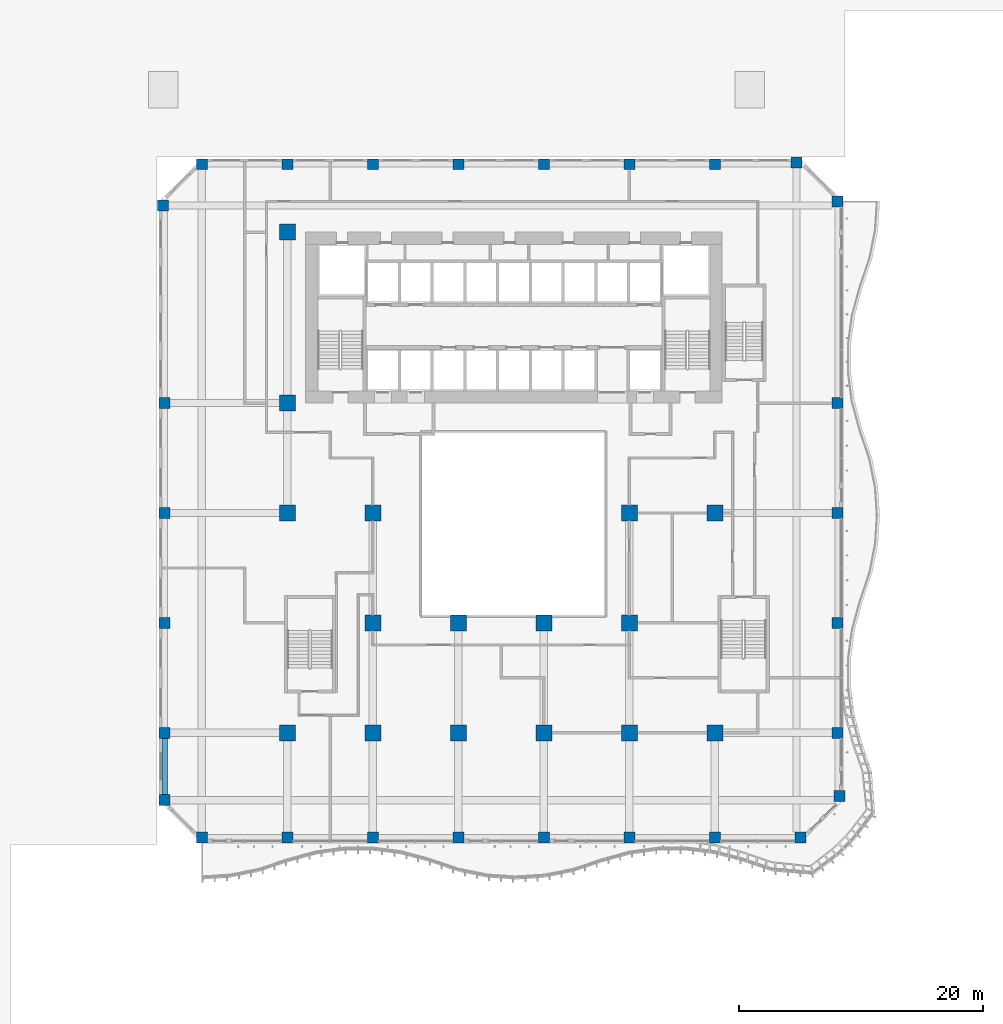
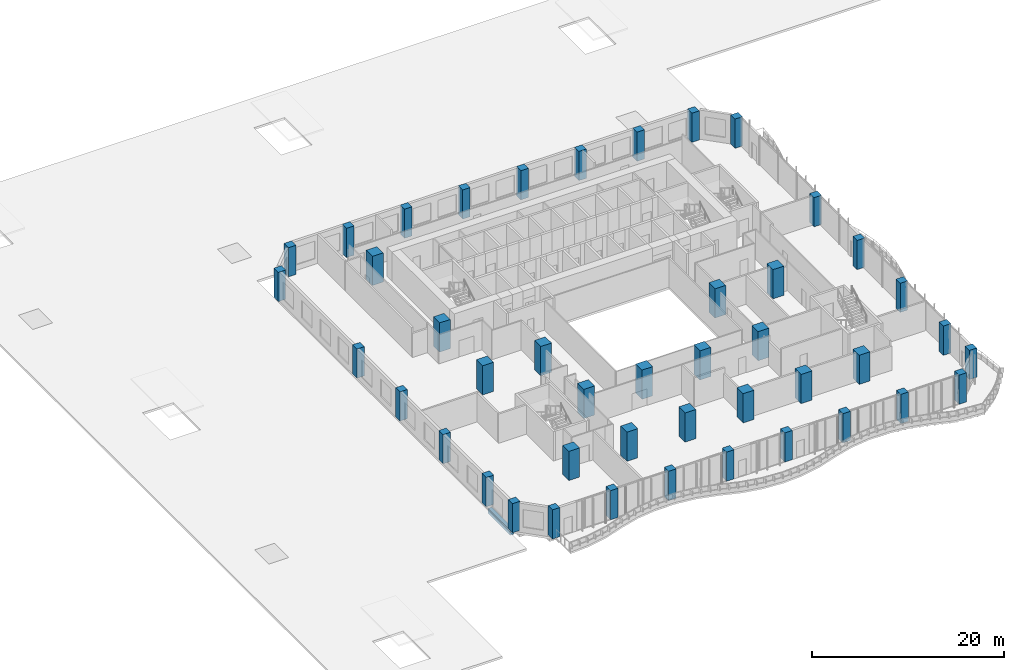
# One storey, part 1 of 29: 44 columns, 1 beam.
"""IFC4 building model written with IfcOpenShell, lengths in metres."""

from ifc_helpers import new_model, si_unit, direction, frame, origin, origin_2d, place, context, subcontext, project, spatial, rectangle, extrude, source, transform, mapped, material, material_profile, profile_set, type_object, element, save


model = new_model("IFC4")

# Units and contexts
model_context = context("Model", 3, precision=1e-05, world=origin(), true_north=direction((0.0, 1.0)))
body_context = subcontext(model_context, "Body", "Model", "MODEL_VIEW")
ifc_project = project(units=[si_unit("LENGTHUNIT", "METRE"), si_unit("AREAUNIT", "SQUARE_METRE"), si_unit("VOLUMEUNIT", "CUBIC_METRE"), si_unit("PLANEANGLEUNIT", "RADIAN"), si_unit("MASSUNIT", "GRAM", prefix="KILO")], contexts=[model_context])

# Site, building, storey
site_placement = place(None, origin())
site = spatial("IfcSite", under=ifc_project, at=site_placement, CompositionType="ELEMENT")
building_placement = place(site_placement, origin())
building = spatial("IfcBuilding", under=site, at=building_placement, Name="Kilnfold Tower and Market Hall", CompositionType="ELEMENT")
storey_placement = place(building_placement, frame((0.0, 0.0, 27.0)))
storey = spatial("IfcBuildingStorey", under=building, at=storey_placement, Name="L05", CompositionType="ELEMENT", Elevation=27.0)

# Columns
ifc_material_1 = material(Name="Concrete C80", Category="concrete")
ifc_material_profile_1 = material_profile(ifc_material_1, rectangle(XDim=0.89990234375, YDim=0.89990234375, at=origin_2d()), Name="RC 900x900")
ifc_profile_set_1 = profile_set([ifc_material_profile_1], Name="Concrete C80")
column_type_1 = type_object("IfcColumnType", Name="COLUMN 900X900 C80", PredefinedType="COLUMN", material=ifc_profile_set_1)
shared_shape_1 = source(origin(), body_context, "Body", "SweptSolid", [
    extrude(rectangle(XDim=0.89990234375, YDim=0.89990234375, at=origin_2d()), origin(), (0.0, 0.0, 1.0), 3.719970703125),
])
for number, where, z_axis, x_axis, name in (
    (1, (-27.681884765625, 24.181884765625, 0.0), (0.0, 0.0, 1.0), (1.0, 0.0, 0.0), "Column C-B1-1H"),
    (2, (-27.550048828125, -24.5, 0.0), (0.0, 0.0, 1.0), (1.0, 0.0, 0.0), "Column C-B1-1B"),
    (3, (-27.550048828125, -19.0, 0.0), (0.0, 0.0, 1.0), (1.0, 0.0, 0.0), "Column C-B1-1C"),
    (4, (-27.550048828125, -10.0, 0.0), (0.0, 0.0, 1.0), (1.0, 0.0, 0.0), "Column C-B1-1D"),
    (5, (-27.550048828125, -1.0, 0.0), (0.0, 0.0, 1.0), (1.0, 0.0, 0.0), "Column C-B1-1E"),
    (6, (-27.550048828125, 8.0, 0.0), (0.0, 0.0, 1.0), (1.0, 0.0, 0.0), "Column C-B1-1F"),
    (7, (-24.5, -27.550048828125, 0.0), (0.0, 0.0, 1.0), (1.0, 0.0, 0.0), "Column C-B1-2A"),
    (8, (-24.5, 27.550048828125, 0.0), (0.0, 0.0, 1.0), (1.0, 0.0, 0.0), "Column C-B1-2I"),
    (9, (-17.5, -27.550048828125, 0.0), (0.0, 0.0, 1.0), (1.0, 0.0, 0.0), "Column C-B1-3A"),
    (10, (-17.5, 27.550048828125, 0.0), (0.0, 0.0, 1.0), (1.0, 0.0, 0.0), "Column C-B1-3I"),
    (11, (-10.5, -27.550048828125, 0.0), (0.0, 0.0, 1.0), (1.0, 0.0, 0.0), "Column C-B1-4A"),
    (12, (-10.5, 27.550048828125, 0.0), (0.0, 0.0, 1.0), (1.0, 0.0, 0.0), "Column C-B1-4I"),
    (13, (-3.5, -27.550048828125, 0.0), (0.0, 0.0, 1.0), (1.0, 0.0, 0.0), "Column C-B1-5A"),
    (14, (-3.5, 27.550048828125, 0.0), (0.0, 0.0, 1.0), (1.0, 0.0, 0.0), "Column C-B1-5I"),
    (15, (3.5, -27.550048828125, 0.0), (0.0, 0.0, 1.0), (1.0, 0.0, 0.0), "Column C-B1-6A"),
    (16, (3.5, 27.550048828125, 0.0), (0.0, 0.0, 1.0), (1.0, 0.0, 0.0), "Column C-B1-6I"),
    (17, (10.5, -27.550048828125, 0.0), (0.0, 0.0, 1.0), (1.0, 0.0, 0.0), "Column C-B1-7A"),
    (18, (10.5, 27.550048828125, 0.0), (0.0, 0.0, 1.0), (1.0, 0.0, 0.0), "Column C-B1-7I"),
    (19, (17.5, -27.550048828125, 0.0), (0.0, 0.0, 1.0), (1.0, 0.0, 0.0), "Column C-B1-8A"),
    (20, (17.5, 27.550048828125, 0.0), (0.0, 0.0, 1.0), (1.0, 0.0, 0.0), "Column C-B1-8I"),
    (21, (24.181884765625, 27.681884765625, 0.0), (0.0, 0.0, 1.0), (1.0, 0.0, 0.0), "Column C-B1-9I"),
    (22, (24.5, -27.550048828125, 0.0), (0.0, 0.0, 1.0), (1.0, 0.0, 0.0), "Column C-B1-9A"),
    (23, (27.550048828125, -19.0, 0.0), (0.0, 0.0, 1.0), (1.0, 0.0, 0.0), "Column C-B1-10C"),
    (24, (27.550048828125, -10.0, 0.0), (0.0, 0.0, 1.0), (1.0, 0.0, 0.0), "Column C-B1-10D"),
    (25, (27.550048828125, -1.0, 0.0), (0.0, 0.0, 1.0), (1.0, 0.0, 0.0), "Column C-B1-10E"),
    (26, (27.550048828125, 8.0, 0.0), (0.0, 0.0, 1.0), (1.0, 0.0, 0.0), "Column C-B1-10F"),
    (27, (27.550048828125, 24.5, 0.0), (0.0, 0.0, 1.0), (1.0, 0.0, 0.0), "Column C-B1-10H"),
    (28, (27.681884765625, -24.181884765625, 0.0), (0.0, 0.0, 1.0), (1.0, 0.0, 0.0), "Column C-B1-10B"),
):
    element("IfcColumn", number, at=place(storey_placement, frame(where, z_axis=z_axis, x_axis=x_axis)), inside=storey, type_object=column_type_1, Name=name, PredefinedType="COLUMN", context=body_context, shape_type="MappedRepresentation", body=[
        mapped(shared_shape_1, transform((0.0, 0.0, 0.0))),
    ])
ifc_material_2 = material(Name="Concrete C80", Category="concrete")
ifc_material_profile_2 = material_profile(ifc_material_2, rectangle(XDim=1.300048828125, YDim=1.300048828125, at=origin_2d()), Name="RC 1300x1300")
ifc_profile_set_2 = profile_set([ifc_material_profile_2], Name="Concrete C80")
column_type_2 = type_object("IfcColumnType", Name="COLUMN 1300X1300 C80", PredefinedType="COLUMN", material=ifc_profile_set_2)
shared_shape_2 = source(origin(), body_context, "Body", "SweptSolid", [
    extrude(rectangle(XDim=1.300048828125, YDim=1.300048828125, at=origin_2d()), origin(), (0.0, 0.0, 1.0), 3.719970703125),
])
for number, where, z_axis, x_axis, name in (
    (29, (-17.5, -19.0, 0.0), (0.0, 0.0, 1.0), (1.0, 0.0, 0.0), "Column C-B1-3C"),
    (30, (-17.5, -1.0, 0.0), (0.0, 0.0, 1.0), (1.0, 0.0, 0.0), "Column C-B1-3E"),
    (31, (-17.5, 8.0, 0.0), (0.0, 0.0, 1.0), (1.0, 0.0, 0.0), "Column C-B1-3F"),
    (32, (-17.5, 22.0, 0.0), (0.0, 0.0, 1.0), (1.0, 0.0, 0.0), "Column C-B1-3G"),
    (33, (-10.5, -19.0, 0.0), (0.0, 0.0, 1.0), (1.0, 0.0, 0.0), "Column C-B1-4C"),
    (34, (-10.5, -10.0, 0.0), (0.0, 0.0, 1.0), (1.0, 0.0, 0.0), "Column C-B1-4D"),
    (35, (-10.5, -1.0, 0.0), (0.0, 0.0, 1.0), (1.0, 0.0, 0.0), "Column C-B1-4E"),
    (36, (-3.5, -19.0, 0.0), (0.0, 0.0, 1.0), (1.0, 0.0, 0.0), "Column C-B1-5C"),
    (37, (-3.5, -10.0, 0.0), (0.0, 0.0, 1.0), (1.0, 0.0, 0.0), "Column C-B1-5D"),
    (38, (3.5, -19.0, 0.0), (0.0, 0.0, 1.0), (1.0, 0.0, 0.0), "Column C-B1-6C"),
    (39, (3.5, -10.0, 0.0), (0.0, 0.0, 1.0), (1.0, 0.0, 0.0), "Column C-B1-6D"),
    (40, (10.5, -19.0, 0.0), (0.0, 0.0, 1.0), (1.0, 0.0, 0.0), "Column C-B1-7C"),
    (41, (10.5, -10.0, 0.0), (0.0, 0.0, 1.0), (1.0, 0.0, 0.0), "Column C-B1-7D"),
    (42, (10.5, -1.0, 0.0), (0.0, 0.0, 1.0), (1.0, 0.0, 0.0), "Column C-B1-7E"),
    (43, (17.5, -19.0, 0.0), (0.0, 0.0, 1.0), (1.0, 0.0, 0.0), "Column C-B1-8C"),
    (44, (17.5, -1.0, 0.0), (0.0, 0.0, 1.0), (1.0, 0.0, 0.0), "Column C-B1-8E"),
):
    element("IfcColumn", number, at=place(storey_placement, frame(where, z_axis=z_axis, x_axis=x_axis)), inside=storey, type_object=column_type_2, Name=name, PredefinedType="COLUMN", context=body_context, shape_type="MappedRepresentation", body=[
        mapped(shared_shape_2, transform((0.0, 0.0, 0.0))),
    ])

# Beam
ifc_material_3 = material(Name="Concrete C45", Category="concrete")
ifc_material_profile_3 = material_profile(ifc_material_3, rectangle(XDim=0.449951171875, YDim=0.64990234375, at=origin_2d()), Name="RC 450x650")
ifc_profile_set_3 = profile_set([ifc_material_profile_3], Name="Concrete C45")
beam_type = type_object("IfcBeamType", Name="EDGE BEAM 450X650 C45", PredefinedType="BEAM", material=ifc_profile_set_3)
shared_shape_3 = source(origin(), body_context, "Body", "SweptSolid", [
    extrude(rectangle(XDim=0.449951171875, YDim=0.64990234375, at=origin_2d()), origin(), (0.0, 0.0, 1.0), 4.60009765625),
])
beam_placement = place(storey_placement, frame((-27.550048828125, -24.050048828125, -0.60498046875), z_axis=(0.0, 1.0, 0.0), x_axis=(-1.0, 0.0, 0.0)))
element("IfcBeam", 45, at=beam_placement, inside=storey, type_object=beam_type, Name="Beam EB650-B1.30", PredefinedType="BEAM", context=body_context, shape_type="MappedRepresentation", body=[
    mapped(shared_shape_3, transform((0.0, 0.0, 0.0))),
])

save(model, "model.ifc")
